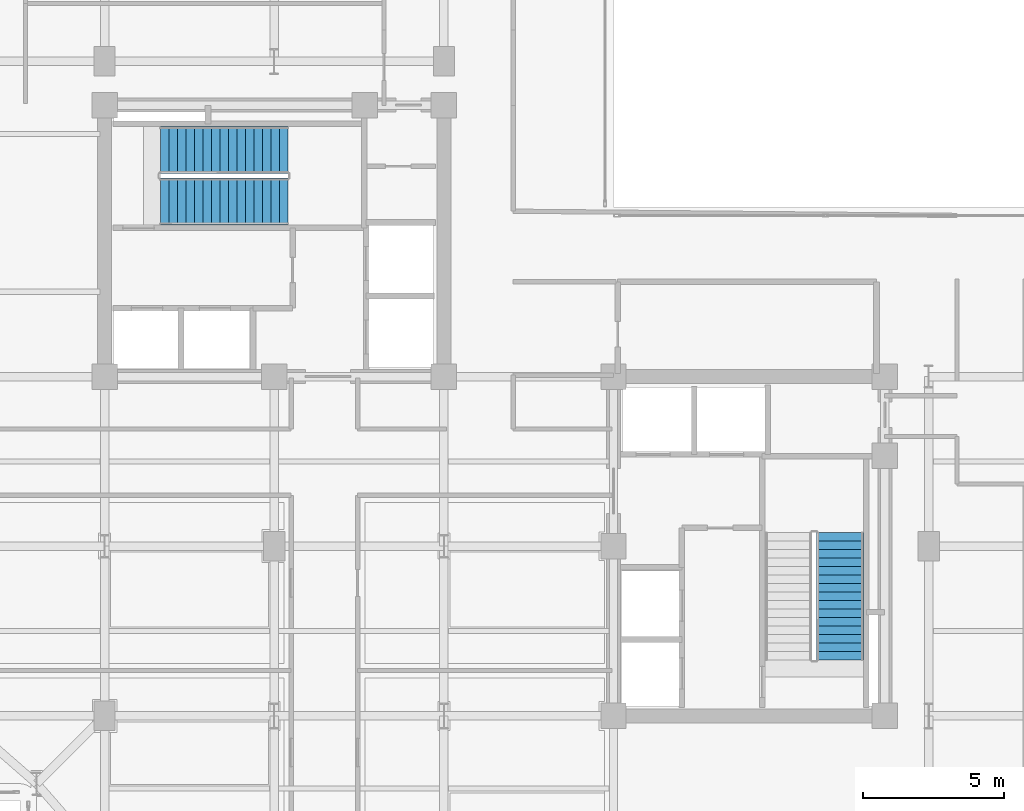
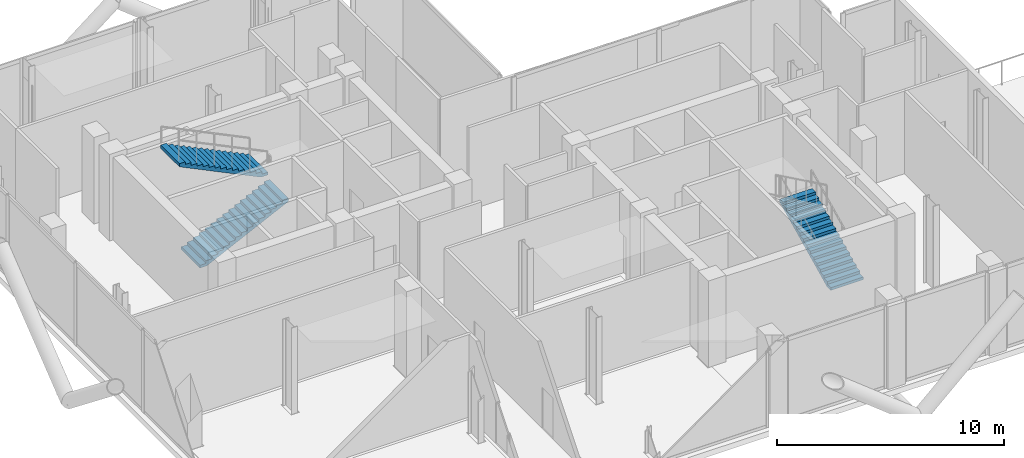
# One storey, part 16 of 19: 3 stair flights, 2 elements without a shape of their own.
"""IFC4 building model written with IfcOpenShell, lengths in metres."""

from ifc_helpers import new_model, si_unit, direction, frame, origin, place, context, subcontext, project, spatial, polyline, outline, extrude, material, type_object, element, aggregate, save


model = new_model("IFC4")

# Units and contexts
model_context = context("Model", 3, precision=1e-05, world=origin(), true_north=direction((0.0, 1.0)))
body_context = subcontext(model_context, "Body", "Model", "MODEL_VIEW")
ifc_project = project(units=[si_unit("LENGTHUNIT", "METRE"), si_unit("AREAUNIT", "SQUARE_METRE"), si_unit("VOLUMEUNIT", "CUBIC_METRE"), si_unit("PLANEANGLEUNIT", "RADIAN"), si_unit("MASSUNIT", "GRAM", prefix="KILO"), si_unit("THERMODYNAMICTEMPERATUREUNIT", "KELVIN"), si_unit("POWERUNIT", "WATT")], contexts=[model_context])

# Site, building, storey
site_placement = place(None, origin())
site = spatial("IfcSite", under=ifc_project, at=site_placement, CompositionType="ELEMENT")
building_placement = place(site_placement, origin())
building = spatial("IfcBuilding", under=site, at=building_placement, Name="Svarakhadi Broadcast Tower", CompositionType="ELEMENT")
storey_placement = place(building_placement, frame((0.0, 0.0, 204.0)))
storey = spatial("IfcBuildingStorey", under=building, at=storey_placement, Name="L50", CompositionType="ELEMENT", Elevation=204.0)

# Stair, stair flights
ifc_material = material(Name="Concrete C40/50 (IS 456 M50)", Category="concrete")
stair_type = type_object("IfcStairType", Name="Stair_Exit_Core", PredefinedType="HALF_TURN_STAIR", material=ifc_material)
stair_1_placement = place(storey_placement, origin())
stair_1 = element("IfcStair", 1, at=stair_1_placement, inside=storey, type_object=stair_type, Name="L50 West Core Protected Exit Stair ST-01", PredefinedType="HALF_TURN_STAIR")
stair_flight_type = type_object("IfcStairFlightType", Name="Flight_RC_1680", PredefinedType="STRAIGHT", material=ifc_material)
stair_flight_1_placement = place(storey_placement, frame((7.97998046875, 24.18994140625, 0.0), z_axis=(0.0, 0.0, 1.0), x_axis=(1.0, 0.0, 0.0)))
stair_flight_1 = element("IfcStairFlight", 2, at=stair_flight_1_placement, type_object=stair_flight_type, Name="ST-01 flight 1", NumberOfRisers=16, NumberOfTreads=15, PredefinedType="STRAIGHT", RiserHeight=0.1453125, TreadLength=0.3, context=body_context, shape_type="SweptSolid", body=[
    extrude(outline(polyline([(0.0, 0.0), (0.0, 0.145263671875), (0.300048828125, 0.145263671875), (0.300048828125, 0.29052734375), (0.60009765625, 0.29052734375), (0.60009765625, 0.43603515625), (0.89990234375, 0.43603515625), (0.89990234375, 0.581298828125), (1.199951171875, 0.581298828125), (1.199951171875, 0.7265625), (1.5, 0.7265625), (1.5, 0.871826171875), (1.800048828125, 0.871826171875), (1.800048828125, 1.01708984375), (2.10009765625, 1.01708984375), (2.10009765625, 1.16259765625), (2.39990234375, 1.16259765625), (2.39990234375, 1.307861328125), (2.699951171875, 1.307861328125), (2.699951171875, 1.453125), (3.0, 1.453125), (3.0, 1.598388671875), (3.300048828125, 1.598388671875), (3.300048828125, 1.74365234375), (3.60009765625, 1.74365234375), (3.60009765625, 1.88916015625), (3.89990234375, 1.88916015625), (3.89990234375, 2.034423828125), (4.199951171875, 2.034423828125), (4.199951171875, 2.1796875), (4.5, 2.1796875), (4.5, 2.324951171875), (4.5, 2.01318359375), (0.34375, 0.0), (0.0, 0.0)])), frame((0.0, 0.830078125, 0.0), z_axis=(0.0, -1.0, 0.0), x_axis=(1.0, 0.0, 0.0)), (0.0, 0.0, 1.0), 1.659912109375),
])
stair_flight_2_placement = place(storey_placement, frame((12.47998046875, 26.010009765625, 2.324951171875), z_axis=(0.0, 0.0, 1.0), x_axis=(-1.0, 0.0, 0.0)))
stair_flight_2 = element("IfcStairFlight", 3, at=stair_flight_2_placement, type_object=stair_flight_type, Name="ST-01 flight 2", NumberOfRisers=16, NumberOfTreads=15, PredefinedType="STRAIGHT", RiserHeight=0.1453125, TreadLength=0.3, context=body_context, shape_type="SweptSolid", body=[
    extrude(outline(polyline([(0.0, 0.0), (0.0, 0.145263671875), (0.300048828125, 0.145263671875), (0.300048828125, 0.29052734375), (0.60009765625, 0.29052734375), (0.60009765625, 0.43603515625), (0.89990234375, 0.43603515625), (0.89990234375, 0.581298828125), (1.199951171875, 0.581298828125), (1.199951171875, 0.7265625), (1.5, 0.7265625), (1.5, 0.871826171875), (1.800048828125, 0.871826171875), (1.800048828125, 1.01708984375), (2.10009765625, 1.01708984375), (2.10009765625, 1.16259765625), (2.39990234375, 1.16259765625), (2.39990234375, 1.307861328125), (2.699951171875, 1.307861328125), (2.699951171875, 1.453125), (3.0, 1.453125), (3.0, 1.598388671875), (3.300048828125, 1.598388671875), (3.300048828125, 1.74365234375), (3.60009765625, 1.74365234375), (3.60009765625, 1.88916015625), (3.89990234375, 1.88916015625), (3.89990234375, 2.034423828125), (4.199951171875, 2.034423828125), (4.199951171875, 2.1796875), (4.5, 2.1796875), (4.5, 2.324951171875), (4.5, 2.01318359375), (0.34375, 0.0), (0.0, 0.0)])), frame((0.0, 0.830078125, 0.0), z_axis=(0.0, -1.0, 0.0), x_axis=(1.0, 0.0, 0.0)), (0.0, 0.0, 1.0), 1.659912109375),
])
aggregate(stair_1, [stair_flight_1, stair_flight_2])

# Stair, stair flight
stair_2_placement = place(storey_placement, origin())
stair_2 = element("IfcStair", 4, at=stair_2_placement, inside=storey, type_object=stair_type, Name="L50 East Core Protected Exit Stair ST-02", PredefinedType="HALF_TURN_STAIR")
stair_flight_3_placement = place(storey_placement, frame((32.010009765625, 7.97998046875, 0.0), z_axis=(0.0, 0.0, 1.0), x_axis=(0.0, 1.0, 0.0)))
stair_flight_3 = element("IfcStairFlight", 5, at=stair_flight_3_placement, type_object=stair_flight_type, Name="ST-02 flight 1", NumberOfRisers=16, NumberOfTreads=15, PredefinedType="STRAIGHT", RiserHeight=0.1453125, TreadLength=0.3, context=body_context, shape_type="SweptSolid", body=[
    extrude(outline(polyline([(0.0, 0.0), (0.0, 0.145263671875), (0.300048828125, 0.145263671875), (0.300048828125, 0.29052734375), (0.60009765625, 0.29052734375), (0.60009765625, 0.43603515625), (0.89990234375, 0.43603515625), (0.89990234375, 0.581298828125), (1.199951171875, 0.581298828125), (1.199951171875, 0.7265625), (1.5, 0.7265625), (1.5, 0.871826171875), (1.800048828125, 0.871826171875), (1.800048828125, 1.01708984375), (2.10009765625, 1.01708984375), (2.10009765625, 1.16259765625), (2.39990234375, 1.16259765625), (2.39990234375, 1.307861328125), (2.699951171875, 1.307861328125), (2.699951171875, 1.453125), (3.0, 1.453125), (3.0, 1.598388671875), (3.300048828125, 1.598388671875), (3.300048828125, 1.74365234375), (3.60009765625, 1.74365234375), (3.60009765625, 1.88916015625), (3.89990234375, 1.88916015625), (3.89990234375, 2.034423828125), (4.199951171875, 2.034423828125), (4.199951171875, 2.1796875), (4.5, 2.1796875), (4.5, 2.324951171875), (4.5, 2.01318359375), (0.34375, 0.0), (0.0, 0.0)])), frame((0.0, 0.830078125, 0.0), z_axis=(0.0, -1.0, 0.0), x_axis=(1.0, 0.0, 0.0)), (0.0, 0.0, 1.0), 1.659912109375),
])
aggregate(stair_2, [stair_flight_3])

save(model, "model.ifc")
